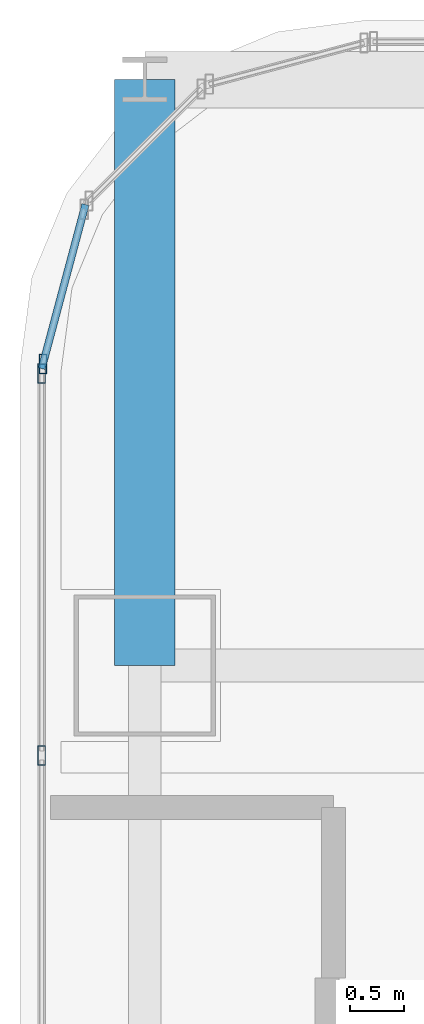
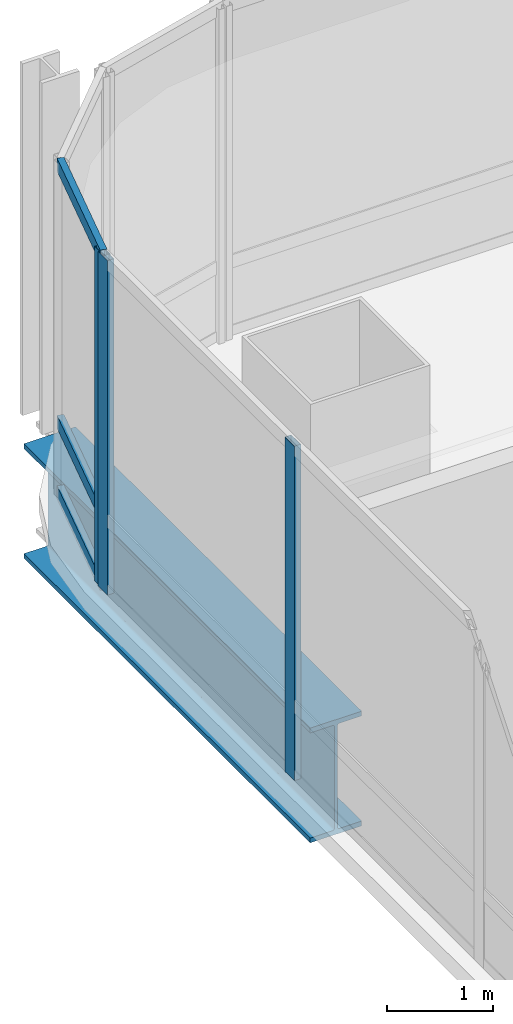
# One storey, part 22 of 42: 6 members, 1 beam, 2 elements without a shape of their own.
"""IFC4 building model written with IfcOpenShell, lengths in metres."""

from ifc_helpers import new_model, si_unit, direction, frame, origin, origin_2d, place, context, subcontext, project, spatial, hollow_rectangle, i_section, extrude, material, material_profile, profile_set, type_object, element, aggregate, save


model = new_model("IFC4")

# Units and contexts
model_context = context("Model", 3, precision=1e-05, world=origin(), true_north=direction((0.0, 1.0)))
body_context = subcontext(model_context, "Body", "Model", "MODEL_VIEW")
ifc_project = project(units=[si_unit("LENGTHUNIT", "METRE"), si_unit("AREAUNIT", "SQUARE_METRE"), si_unit("VOLUMEUNIT", "CUBIC_METRE"), si_unit("PLANEANGLEUNIT", "RADIAN"), si_unit("MASSUNIT", "GRAM", prefix="KILO")], contexts=[model_context])

# Site, building, storey
site_placement = place(None, origin())
site = spatial("IfcSite", under=ifc_project, at=site_placement, CompositionType="ELEMENT")
building_placement = place(site_placement, origin())
building = spatial("IfcBuilding", under=site, at=building_placement, Name="Punatoya Terracotta Tower", CompositionType="ELEMENT")
storey_placement = place(building_placement, frame((0.0, 0.0, 255.449951171875)))
storey = spatial("IfcBuildingStorey", under=building, at=storey_placement, Name="L60", CompositionType="ELEMENT", Elevation=255.449951171875)

# Beam
ifc_material_1 = material(Name="Steel S460", Category="steel")
ifc_material_profile_1 = material_profile(ifc_material_1, i_section(OverallWidth=0.56005859375, OverallDepth=1.320068359375, WebThickness=0.035888671875, FlangeThickness=0.054931640625, FilletRadius=0.01806640625, at=origin_2d()))
ifc_profile_set_1 = profile_set([ifc_material_profile_1], Name="Steel S460")
beam_type = type_object("IfcBeamType", Name="BM-TG-BLK", PredefinedType="BEAM", material=ifc_profile_set_1)
beam_placement = place(storey_placement, frame((-19.10009765625, 17.5, -0.85986328125), z_axis=(0.0, 1.0, 0.0), x_axis=(-1.0, 0.0, 0.0)))
element("IfcBeam", 1, at=beam_placement, inside=storey, type_object=beam_type, Name="BM-L60-CANT-N1", PredefinedType="BEAM", context=body_context, shape_type="SweptSolid", body=[
    extrude(i_section(OverallWidth=0.56005859375, OverallDepth=1.320068359375, WebThickness=0.035888671875, FlangeThickness=0.054931640625, FilletRadius=0.01806640625, at=origin_2d()), origin(), (0.0, 0.0, 1.0), 5.39990234375),
])

# Curtain wall, member
ifc_material_2 = material(Name="Aluminium 6063-T6 + Double Low-E Glass", Category="aluminium")
curtain_wall_type = type_object("IfcCurtainWallType", Name="CW-M3", PredefinedType="NOTDEFINED", material=ifc_material_2)
curtain_wall_1_placement = place(storey_placement, origin())
curtain_wall_1 = element("IfcCurtainWall", 2, at=curtain_wall_1_placement, inside=storey, type_object=curtain_wall_type, Name="L60 Curtain Wall CW-L60-CRN12", PredefinedType="NOTDEFINED")
ifc_material_3 = material(Name="Aluminium 6063-T6", Category="aluminium")
ifc_material_profile_2 = material_profile(ifc_material_3, hollow_rectangle(XDim=0.070068359375, YDim=0.179931640625, WallThickness=0.00390625, at=origin_2d()))
ifc_profile_set_2 = profile_set([ifc_material_profile_2], Name="Aluminium 6063-T6")
member_type_1 = type_object("IfcMemberType", Name="CW-MUL-M3", PredefinedType="MULLION", material=ifc_profile_set_2)
member_1_placement = place(storey_placement, frame((-20.038330078125, 20.280517578125, 0.0), z_axis=(0.0, 0.0, 1.0), x_axis=(1.0, 0.0, 0.0)))
member_1 = element("IfcMember", 3, at=member_1_placement, type_object=member_type_1, Name="CW-L60-CRN12 Mullion 01", PredefinedType="MULLION", context=body_context, shape_type="SweptSolid", body=[
    extrude(hollow_rectangle(XDim=0.070068359375, YDim=0.179931640625, WallThickness=0.00390625, at=origin_2d()), origin(), (0.0, 0.0, 1.0), 3.85009765625),
])

# Curtain wall, members
curtain_wall_2_placement = place(storey_placement, origin())
curtain_wall_2 = element("IfcCurtainWall", 4, at=curtain_wall_2_placement, inside=storey, type_object=curtain_wall_type, Name="L60 Curtain Wall CW-L60-W13-1", PredefinedType="NOTDEFINED")
member_2_placement = place(storey_placement, frame((-20.050048828125, 20.19189453125, 0.0), z_axis=(0.0, 0.0, 1.0), x_axis=(1.0, 0.0, 0.0)))
member_2 = element("IfcMember", 5, at=member_2_placement, type_object=member_type_1, Name="CW-L60-W13-1 Mullion 00", PredefinedType="MULLION", context=body_context, shape_type="SweptSolid", body=[
    extrude(hollow_rectangle(XDim=0.070068359375, YDim=0.179931640625, WallThickness=0.00390625, at=origin_2d()), origin(), (0.0, 0.0, 1.0), 3.85009765625),
])
member_3_placement = place(storey_placement, frame((-20.050048828125, 16.66943359375, 0.0), z_axis=(0.0, 0.0, 1.0), x_axis=(1.0, 0.0, 0.0)))
member_3 = element("IfcMember", 6, at=member_3_placement, type_object=member_type_1, Name="CW-L60-W13-1 Mullion 01", PredefinedType="MULLION", context=body_context, shape_type="SweptSolid", body=[
    extrude(hollow_rectangle(XDim=0.070068359375, YDim=0.179931640625, WallThickness=0.00390625, at=origin_2d()), origin(), (0.0, 0.0, 1.0), 3.85009765625),
])
aggregate(curtain_wall_2, [member_2, member_3])

# Member
ifc_material_profile_3 = material_profile(ifc_material_3, hollow_rectangle(XDim=0.068115234375, YDim=0.14990234375, WallThickness=0.00390625, at=origin_2d()))
ifc_profile_set_3 = profile_set([ifc_material_profile_3], Name="Aluminium 6063-T6")
member_type_2 = type_object("IfcMemberType", Name="CW-TRN-TYP", PredefinedType="USERDEFINED", material=ifc_profile_set_3)
member_4_placement = place(storey_placement, frame((-19.646484375, 21.7490234375, 0.0400390625), z_axis=(-0.257847112249, -0.966185730957, 0.0), x_axis=(0.966185730957, -0.257847112249, 0.0)))
member_4 = element("IfcMember", 7, at=member_4_placement, type_object=member_type_2, Name="CW-L60-CRN12 Transom 1", ObjectType="TRANSOM", PredefinedType="USERDEFINED", context=body_context, shape_type="SweptSolid", body=[
    extrude(hollow_rectangle(XDim=0.068115234375, YDim=0.14990234375, WallThickness=0.00390625, at=origin_2d()), origin(), (0.0, 0.0, 1.0), 1.565185546875),
])

member_5_placement = place(storey_placement, frame((-19.646484375, 21.7490234375, 0.85009765625), z_axis=(-0.257847112249, -0.966185730957, 0.0), x_axis=(0.966185730957, -0.257847112249, 0.0)))
member_5 = element("IfcMember", 8, at=member_5_placement, type_object=member_type_2, Name="CW-L60-CRN12 Transom 2", ObjectType="TRANSOM", PredefinedType="USERDEFINED", context=body_context, shape_type="SweptSolid", body=[
    extrude(hollow_rectangle(XDim=0.068115234375, YDim=0.14990234375, WallThickness=0.00390625, at=origin_2d()), origin(), (0.0, 0.0, 1.0), 1.565185546875),
])

member_6_placement = place(storey_placement, frame((-19.646484375, 21.7490234375, 3.81005859375), z_axis=(-0.257847112249, -0.966185730957, 0.0), x_axis=(0.966185730957, -0.257847112249, 0.0)))
member_6 = element("IfcMember", 9, at=member_6_placement, type_object=member_type_2, Name="CW-L60-CRN12 Transom 3", ObjectType="TRANSOM", PredefinedType="USERDEFINED", context=body_context, shape_type="SweptSolid", body=[
    extrude(hollow_rectangle(XDim=0.068115234375, YDim=0.14990234375, WallThickness=0.00390625, at=origin_2d()), origin(), (0.0, 0.0, 1.0), 1.565185546875),
])

aggregate(curtain_wall_1, [member_1, member_4, member_5, member_6])

save(model, "model.ifc")
